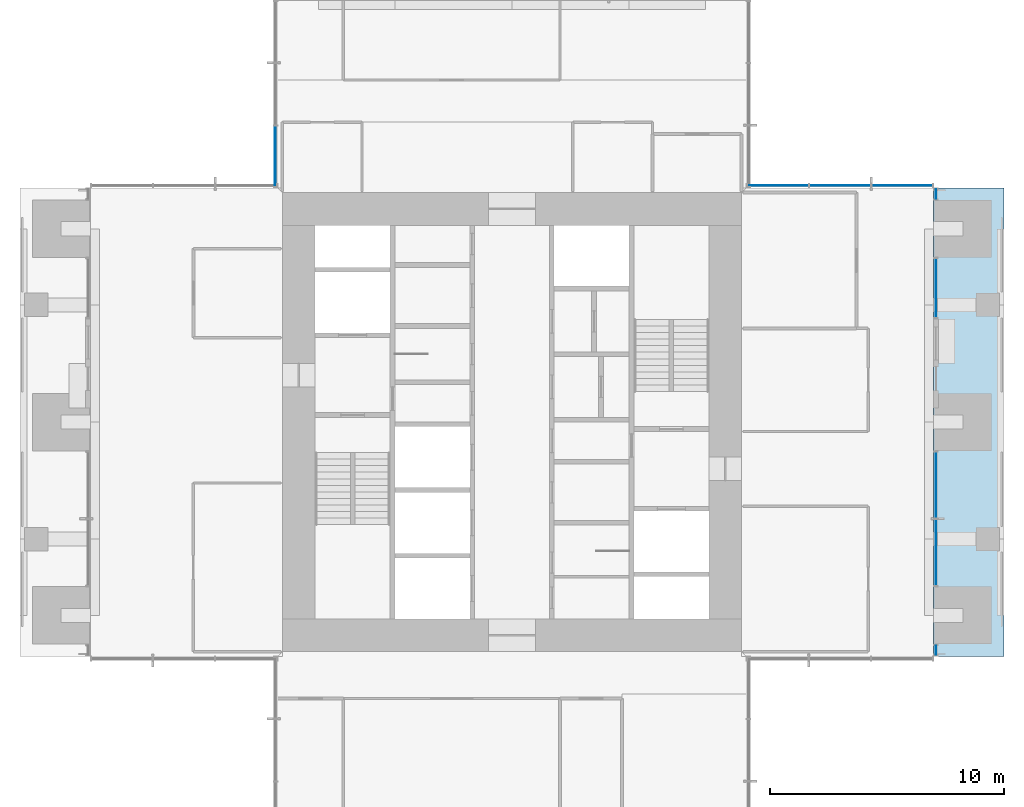
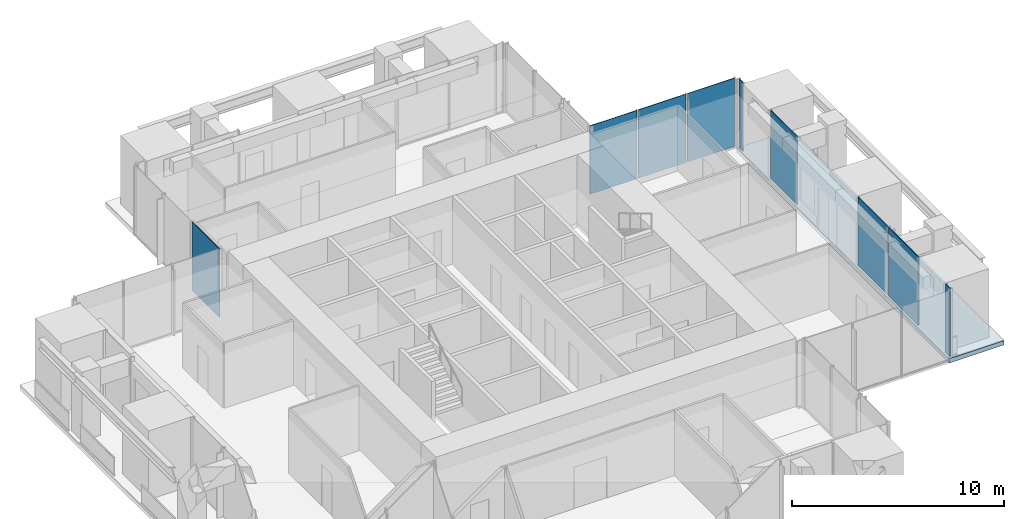
# One storey, part 10 of 17: 9 plates, 1 slab, 6 elements without a shape of their own.
"""IFC4 building model written with IfcOpenShell, lengths in metres."""

from ifc_helpers import new_model, si_unit, direction, frame, origin, origin_2d, place, context, subcontext, project, spatial, polyline, rectangle, outline, extrude, material, layer, layer_set, type_object, element, aggregate, save


model = new_model("IFC4")

# Units and contexts
model_context = context("Model", 3, precision=1e-05, world=origin(), true_north=direction((0.0, 1.0)))
body_context = subcontext(model_context, "Body", "Model", "MODEL_VIEW")
ifc_project = project(units=[si_unit("LENGTHUNIT", "METRE"), si_unit("AREAUNIT", "SQUARE_METRE"), si_unit("VOLUMEUNIT", "CUBIC_METRE"), si_unit("PLANEANGLEUNIT", "RADIAN"), si_unit("MASSUNIT", "GRAM", prefix="KILO")], contexts=[model_context])

# Site, building, storey
site_placement = place(None, origin())
site = spatial("IfcSite", under=ifc_project, at=site_placement, CompositionType="ELEMENT")
building_placement = place(site_placement, origin())
building = spatial("IfcBuilding", under=site, at=building_placement, Name="Svetlomir Tower", CompositionType="ELEMENT")
storey_placement = place(building_placement, frame((0.0, 0.0, 174.5)))
storey = spatial("IfcBuildingStorey", under=building, at=storey_placement, Name="L41", CompositionType="ELEMENT", Elevation=174.5)

# Curtain wall, plate
ifc_material_1 = material(Name="Bronze anodised aluminium curtain wall", Category="aluminium")
curtain_wall_type = type_object("IfcCurtainWallType", Name="CURTAIN WALL CW1 TOWER OFFICE", PredefinedType="NOTDEFINED", material=ifc_material_1)
curtain_wall_1_placement = place(storey_placement, origin())
curtain_wall_1 = element("IfcCurtainWall", 1, at=curtain_wall_1_placement, inside=storey, type_object=curtain_wall_type, Name="Curtain wall CW1 L41", PredefinedType="NOTDEFINED")
ifc_material_2 = material(Name="Tinted double glazed unit", Category="glass")
ifc_layer_1 = layer(ifc_material_2, 0.031982421875)
ifc_layer_set_1 = layer_set([ifc_layer_1], Name="Tinted double glazed unit")
plate_type = type_object("IfcPlateType", Name="CW1 GLAZED PANEL 32", PredefinedType="CURTAIN_PANEL", material=ifc_layer_set_1)
plate_1_placement = place(storey_placement, frame((39.10009765625, 11.262451171875, 0.06494140625), z_axis=(0.0, 0.0, 1.0), x_axis=(0.0, 1.0, 0.0)))
plate_1 = element("IfcPlate", 2, at=plate_1_placement, type_object=plate_type, Name="CW1 panel 1.1", PredefinedType="CURTAIN_PANEL", context=body_context, shape_type="SweptSolid", body=[
    extrude(rectangle(XDim=0.39501953125, YDim=0.031982421875, at=origin_2d()), origin(), (0.0, 0.0, 1.0), 3.93505859375),
])
aggregate(curtain_wall_1, [plate_1])

# Curtain wall, plates
curtain_wall_2_placement = place(storey_placement, origin())
curtain_wall_2 = element("IfcCurtainWall", 3, at=curtain_wall_2_placement, inside=storey, type_object=curtain_wall_type, Name="Curtain wall CW1 L41", PredefinedType="NOTDEFINED")
plate_2_placement = place(storey_placement, frame((39.10009765625, 15.441162109375, 0.06494140625), z_axis=(0.0, 0.0, 1.0), x_axis=(0.0, 1.0, 0.0)))
plate_2 = element("IfcPlate", 4, at=plate_2_placement, type_object=plate_type, Name="CW1 panel 1.1", PredefinedType="CURTAIN_PANEL", context=body_context, shape_type="SweptSolid", body=[
    extrude(rectangle(XDim=2.802490234375, YDim=0.031982421875, at=origin_2d()), origin(), (0.0, 0.0, 1.0), 3.93505859375),
])
plate_3_placement = place(storey_placement, frame((39.10009765625, 18.308837890625, 0.06494140625), z_axis=(0.0, 0.0, 1.0), x_axis=(0.0, 1.0, 0.0)))
plate_3 = element("IfcPlate", 5, at=plate_3_placement, type_object=plate_type, Name="CW1 panel 2.1", PredefinedType="CURTAIN_PANEL", context=body_context, shape_type="SweptSolid", body=[
    extrude(rectangle(XDim=2.802490234375, YDim=0.031982421875, at=origin_2d()), origin(), (0.0, 0.0, 1.0), 3.93505859375),
])
aggregate(curtain_wall_2, [plate_2, plate_3])

# Curtain wall, plate
curtain_wall_3_placement = place(storey_placement, origin())
curtain_wall_3 = element("IfcCurtainWall", 6, at=curtain_wall_3_placement, inside=storey, type_object=curtain_wall_type, Name="Curtain wall CW1 L41", PredefinedType="NOTDEFINED")
plate_4_placement = place(storey_placement, frame((39.10009765625, 26.71240234375, 0.06494140625), z_axis=(0.0, 0.0, 1.0), x_axis=(0.0, 1.0, 0.0)))
plate_4 = element("IfcPlate", 7, at=plate_4_placement, type_object=plate_type, Name="CW1 panel 1.1", PredefinedType="CURTAIN_PANEL", context=body_context, shape_type="SweptSolid", body=[
    extrude(rectangle(XDim=2.4951171875, YDim=0.031982421875, at=origin_2d()), origin(), (0.0, 0.0, 1.0), 3.93505859375),
])
aggregate(curtain_wall_3, [plate_4])

curtain_wall_4_placement = place(storey_placement, origin())
curtain_wall_4 = element("IfcCurtainWall", 8, at=curtain_wall_4_placement, inside=storey, type_object=curtain_wall_type, Name="Curtain wall CW1 L41", PredefinedType="NOTDEFINED")
plate_5_placement = place(storey_placement, frame((39.10009765625, 30.737548828125, 0.06494140625), z_axis=(0.0, 0.0, 1.0), x_axis=(0.0, 1.0, 0.0)))
plate_5 = element("IfcPlate", 9, at=plate_5_placement, type_object=plate_type, Name="CW1 panel 1.1", PredefinedType="CURTAIN_PANEL", context=body_context, shape_type="SweptSolid", body=[
    extrude(rectangle(XDim=0.39501953125, YDim=0.031982421875, at=origin_2d()), origin(), (0.0, 0.0, 1.0), 3.93505859375),
])
aggregate(curtain_wall_4, [plate_5])

# Curtain wall, plates
curtain_wall_5_placement = place(storey_placement, origin())
curtain_wall_5 = element("IfcCurtainWall", 10, at=curtain_wall_5_placement, inside=storey, type_object=curtain_wall_type, Name="Curtain wall CW1 L41", PredefinedType="NOTDEFINED")
plate_6_placement = place(storey_placement, frame((37.650390625, 31.10009765625, 0.06494140625), z_axis=(0.0, 0.0, 1.0), x_axis=(-1.0, 0.0, 0.0)))
plate_6 = element("IfcPlate", 11, at=plate_6_placement, type_object=plate_type, Name="CW1 panel 1.1", PredefinedType="CURTAIN_PANEL", context=body_context, shape_type="SweptSolid", body=[
    extrude(rectangle(XDim=2.569091796875, YDim=0.031982421875, at=origin_2d()), origin(), (0.0, 0.0, 1.0), 3.93505859375),
])
plate_7_placement = place(storey_placement, frame((35.0, 31.10009765625, 0.06494140625), z_axis=(0.0, 0.0, 1.0), x_axis=(-1.0, 0.0, 0.0)))
plate_7 = element("IfcPlate", 12, at=plate_7_placement, type_object=plate_type, Name="CW1 panel 2.1", PredefinedType="CURTAIN_PANEL", context=body_context, shape_type="SweptSolid", body=[
    extrude(rectangle(XDim=2.6015625, YDim=0.031982421875, at=origin_2d()), origin(), (0.0, 0.0, 1.0), 3.93505859375),
])
plate_8_placement = place(storey_placement, frame((32.349609375, 31.10009765625, 0.06494140625), z_axis=(0.0, 0.0, 1.0), x_axis=(-1.0, 0.0, 0.0)))
plate_8 = element("IfcPlate", 13, at=plate_8_placement, type_object=plate_type, Name="CW1 panel 3.1", PredefinedType="CURTAIN_PANEL", context=body_context, shape_type="SweptSolid", body=[
    extrude(rectangle(XDim=2.569091796875, YDim=0.031982421875, at=origin_2d()), origin(), (0.0, 0.0, 1.0), 3.93505859375),
])
aggregate(curtain_wall_5, [plate_6, plate_7, plate_8])

# Curtain wall, plate
curtain_wall_6_placement = place(storey_placement, origin())
curtain_wall_6 = element("IfcCurtainWall", 14, at=curtain_wall_6_placement, inside=storey, type_object=curtain_wall_type, Name="Curtain wall CW1 L41", PredefinedType="NOTDEFINED")
plate_9_placement = place(storey_placement, frame((10.89990234375, 32.349609375, 0.06494140625), z_axis=(0.0, 0.0, 1.0), x_axis=(0.0, -1.0, 0.0)))
plate_9 = element("IfcPlate", 15, at=plate_9_placement, type_object=plate_type, Name="CW1 panel 3.1", PredefinedType="CURTAIN_PANEL", context=body_context, shape_type="SweptSolid", body=[
    extrude(rectangle(XDim=2.569091796875, YDim=0.031982421875, at=origin_2d()), origin(), (0.0, 0.0, 1.0), 3.93505859375),
])
aggregate(curtain_wall_6, [plate_9])

# Slab
ifc_material_3 = material(Name="Concrete C60/75", Category="concrete")
ifc_layer_2 = layer(ifc_material_3, 0.25)
ifc_layer_set_2 = layer_set([ifc_layer_2], Name="Concrete C60/75")
slab_type = type_object("IfcSlabType", Name="PLANTED LOGGIA SLAB 250", PredefinedType="FLOOR", material=ifc_layer_set_2)
slab_placement = place(storey_placement, frame((0.0, 0.0, -0.25)))
element("IfcSlab", 16, at=slab_placement, inside=storey, type_object=slab_type, Name="L41 E planted loggia", PredefinedType="FLOOR", context=body_context, shape_type="SweptSolid", body=[
    extrude(outline(polyline([(39.0, 11.0), (42.0, 11.0), (42.0, 31.0), (39.0, 31.0), (39.0, 11.0)])), origin(), (0.0, 0.0, 1.0), 0.25),
])

save(model, "model.ifc")
